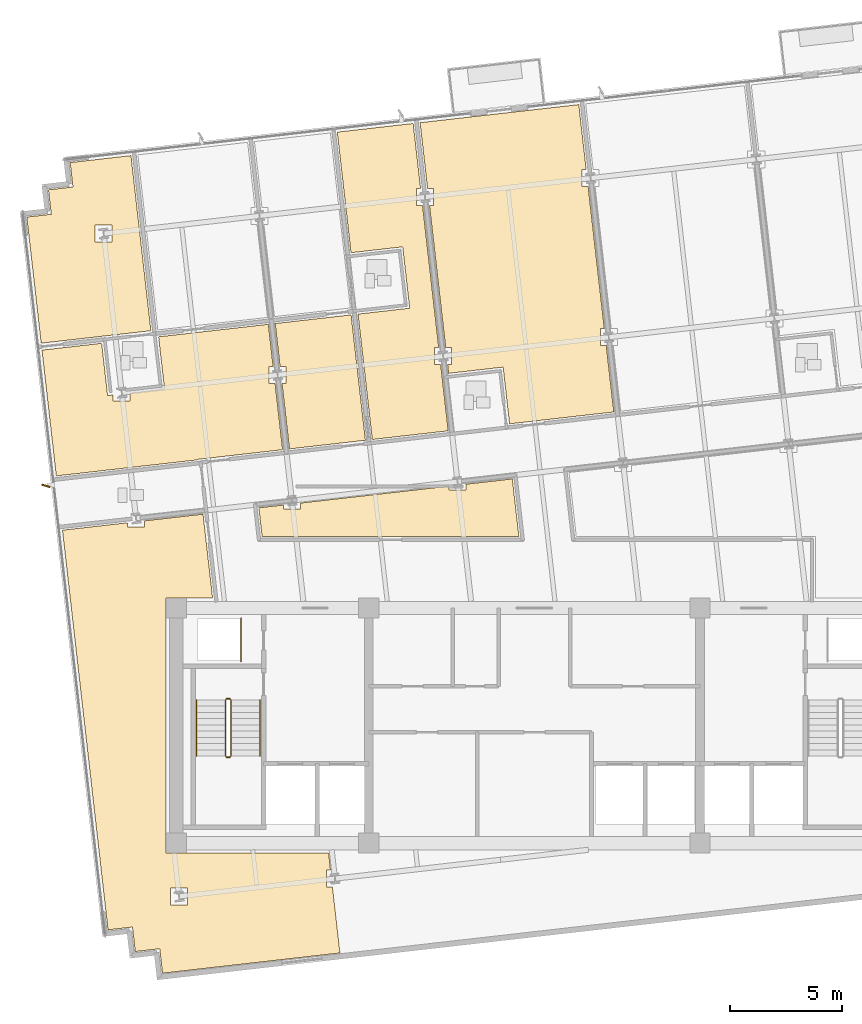
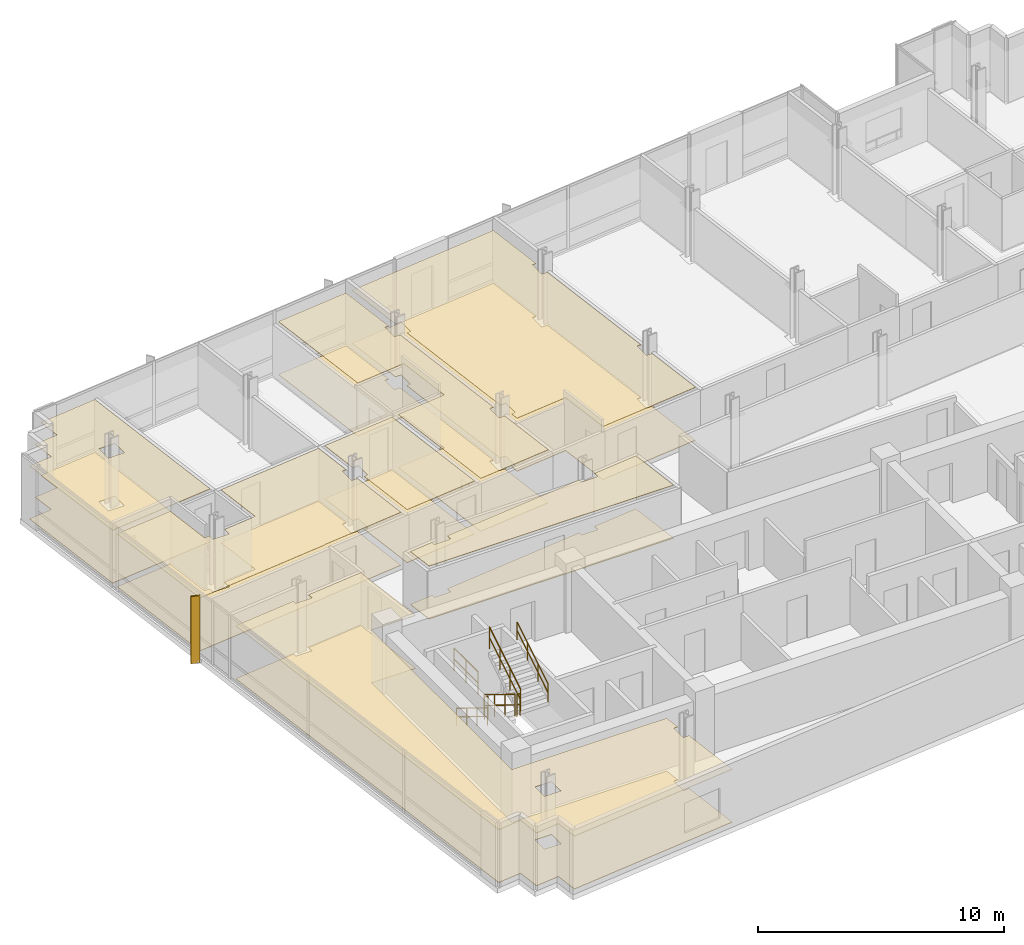
# One storey, part 13 of 16: 14 coverings, 7 railings, 1 shading device.
"""IFC4 building model written with IfcOpenShell, lengths in metres."""

from ifc_helpers import new_model, si_unit, direction, frame, origin, origin_2d, place, context, subcontext, project, spatial, polyline, rectangle, circle, outline, extrude, material, layer, layer_set, type_object, element, save


model = new_model("IFC4")

# Units and contexts
model_context = context("Model", 3, precision=1e-05, world=origin(), true_north=direction((0.0, 1.0)))
body_context = subcontext(model_context, "Body", "Model", "MODEL_VIEW")
ifc_project = project(units=[si_unit("LENGTHUNIT", "METRE"), si_unit("AREAUNIT", "SQUARE_METRE"), si_unit("VOLUMEUNIT", "CUBIC_METRE"), si_unit("PLANEANGLEUNIT", "RADIAN"), si_unit("MASSUNIT", "GRAM", prefix="KILO")], contexts=[model_context])

# Site, building, storey
site_placement = place(None, origin())
site = spatial("IfcSite", under=ifc_project, at=site_placement, CompositionType="ELEMENT")
building_placement = place(site_placement, origin())
building = spatial("IfcBuilding", under=site, at=building_placement, Name="Solmavex Isthmus Hotel", CompositionType="ELEMENT")
storey_placement = place(building_placement, frame((0.0, 0.0, 222.75)))
storey = spatial("IfcBuildingStorey", under=building, at=storey_placement, Name="L60", CompositionType="ELEMENT", Elevation=222.75)

# Coverings
ifc_material_1 = material(Name="Gypsum plasterboard lining", Category="gypsum")
ifc_layer_1 = layer(ifc_material_1, 0.030029296875)
ifc_layer_set_1 = layer_set([ifc_layer_1], Name="Gypsum plasterboard lining")
covering_type_1 = type_object("IfcCoveringType", Name="COV-CEIL-GYP", PredefinedType="CEILING", material=ifc_layer_set_1)
covering_1_placement = place(storey_placement, frame((0.0, 0.0, 2.6201171875)))
element("IfcCovering", 1, at=covering_1_placement, inside=storey, type_object=covering_type_1, Name="Suspended Acoustic Ceiling L60-ST01-FY", PredefinedType="CEILING", context=body_context, shape_type="SweptSolid", body=[
    extrude(outline(polyline([(-18.056396484375, 7.10693359375), (-18.056396484375, 6.739013671875), (-18.81640625, 6.739013671875), (-18.81640625, 7.0205078125), (-19.06689453125, 6.991943359375), (-19.3330078125, 9.32666015625), (-21.999755859375, 9.02294921875), (-21.359130859375, 3.4013671875), (-15.079833984375, 4.11669921875), (-15.08203125, 4.136474609375), (-11.2490234375, 4.5732421875), (-11.586181640625, 7.532470703125), (-11.853271484375, 7.532470703125), (-11.853271484375, 8.29248046875), (-11.672607421875, 8.29248046875), (-11.88720703125, 10.175048828125), (-16.78955078125, 9.616455078125), (-16.5234375, 7.28173828125), (-18.056396484375, 7.10693359375)])), origin(), (0.0, 0.0, 1.0), 0.02978515625),
])
covering_2_placement = place(storey_placement, frame((0.0, 0.0, 2.6201171875)))
element("IfcCovering", 2, at=covering_2_placement, inside=storey, type_object=covering_type_1, Name="Suspended Acoustic Ceiling L60-TB01", PredefinedType="CEILING", context=body_context, shape_type="SweptSolid", body=[
    extrude(outline(polyline([(-22.677001953125, 14.966552734375), (-22.58349609375, 14.146728515625), (-22.034912109375, 9.330810546875), (-17.132568359375, 9.889404296875), (-18.023681640625, 17.7109375), (-19.92041015625, 17.49462890625), (-20.740234375, 17.4013671875), (-20.615478515625, 16.308349609375), (-21.70849609375, 16.183837890625), (-21.583984375, 15.091064453125), (-22.677001953125, 14.966552734375)]), holes=[polyline([(-19.6259765625, 13.844970703125), (-19.6259765625, 14.60498046875), (-18.865966796875, 14.60498046875), (-18.865966796875, 13.844970703125), (-19.6259765625, 13.844970703125)])]), origin(), (0.0, 0.0, 1.0), 0.02978515625),
])
covering_3_placement = place(storey_placement, frame((0.0, 0.0, 2.6201171875)))
element("IfcCovering", 3, at=covering_3_placement, inside=storey, type_object=covering_type_1, Name="Suspended Acoustic Ceiling L60-SL02-FY", PredefinedType="CEILING", context=body_context, shape_type="SweptSolid", body=[
    extrude(outline(polyline([(-11.360595703125, 8.29248046875), (-11.09326171875, 8.29248046875), (-11.09326171875, 7.532470703125), (-11.274169921875, 7.532470703125), (-10.94091796875, 4.6083984375), (-7.5498046875, 4.994873046875), (-8.18798828125, 10.596435546875), (-11.5791015625, 10.210205078125), (-11.525634765625, 9.740234375), (-11.360595703125, 8.29248046875)])), origin(), (0.0, 0.0, 1.0), 0.02978515625),
])
covering_4_placement = place(storey_placement, frame((0.0, 0.0, 2.6201171875)))
element("IfcCovering", 4, at=covering_4_placement, inside=storey, type_object=covering_type_1, Name="Suspended Acoustic Ceiling L60-SV02", PredefinedType="CEILING", context=body_context, shape_type="SweptSolid", body=[
    extrude(outline(polyline([(-4.99755859375, 15.481201171875), (-5.264892578125, 15.481201171875), (-5.264892578125, 16.2412109375), (-5.084228515625, 16.2412109375), (-5.415283203125, 19.1474609375), (-8.806396484375, 18.760986328125), (-8.192626953125, 13.373779296875), (-5.884521484375, 13.636962890625), (-5.572021484375, 10.89453125), (-7.880126953125, 10.631591796875), (-7.241943359375, 5.02978515625), (-3.850830078125, 5.416259765625), (-4.18798828125, 8.375244140625), (-4.455322265625, 8.375244140625), (-4.455322265625, 9.13525390625), (-4.2744140625, 9.13525390625), (-4.99755859375, 15.481201171875)])), origin(), (0.0, 0.0, 1.0), 0.02978515625),
])
covering_5_placement = place(storey_placement, frame((0.0, 0.0, 2.6201171875)))
element("IfcCovering", 5, at=covering_5_placement, inside=storey, type_object=covering_type_1, Name="Suspended Acoustic Ceiling L60-RM03", PredefinedType="CEILING", context=body_context, shape_type="SweptSolid", body=[
    extrude(outline(polyline([(-3.962646484375, 9.13525390625), (-3.6953125, 9.13525390625), (-3.6953125, 8.375244140625), (-3.8759765625, 8.375244140625), (-3.83154296875, 7.98486328125), (-1.397216796875, 8.26220703125), (-1.108642578125, 5.728759765625), (3.54736328125, 6.259033203125), (3.210205078125, 9.21826171875), (2.94287109375, 9.21826171875), (2.94287109375, 9.978271484375), (3.12353515625, 9.978271484375), (2.400634765625, 16.32421875), (2.13330078125, 16.32421875), (2.13330078125, 17.084228515625), (2.31396484375, 17.084228515625), (1.98291015625, 19.990234375), (-5.107177734375, 19.182373046875), (-4.772216796875, 16.2412109375), (-4.5048828125, 16.2412109375), (-4.5048828125, 15.481201171875), (-4.685546875, 15.481201171875), (-3.962646484375, 9.13525390625)])), origin(), (0.0, 0.0, 1.0), 0.02978515625),
])
covering_6_placement = place(storey_placement, frame((0.0, 0.0, 2.6201171875)))
element("IfcCovering", 6, at=covering_6_placement, inside=storey, type_object=covering_type_1, Name="Suspended Acoustic Ceiling L60-FL09", PredefinedType="CEILING", context=body_context, shape_type="SweptSolid", body=[
    extrude(outline(polyline([(-10.4541015625, 2.18798828125), (-10.4541015625, 1.920654296875), (-11.214111328125, 1.920654296875), (-11.214111328125, 2.101318359375), (-12.309814453125, 1.9765625), (-12.1650390625, 0.705078125), (-0.694091796875, 0.705078125), (-0.986083984375, 3.2666015625), (-3.055908203125, 3.03076171875), (-3.055908203125, 2.763671875), (-3.81591796875, 2.763671875), (-3.81591796875, 2.9443359375), (-10.4541015625, 2.18798828125)])), origin(), (0.0, 0.0, 1.0), 0.02978515625),
])
covering_7_placement = place(storey_placement, frame((0.0, 0.0, 2.6201171875)))
element("IfcCovering", 7, at=covering_7_placement, inside=storey, type_object=covering_type_1, Name="Suspended Acoustic Ceiling L60-FL10", PredefinedType="CEILING", context=body_context, shape_type="SweptSolid", body=[
    extrude(outline(polyline([(-17.4169921875, 1.39453125), (-17.4169921875, 1.12744140625), (-18.177001953125, 1.12744140625), (-18.177001953125, 1.30810546875), (-21.0830078125, 0.97705078125), (-20.166748046875, -7.06591796875), (-19.572265625, -12.2822265625), (-19.14208984375, -16.057861328125), (-19.048828125, -16.87744140625), (-17.955810546875, -16.7529296875), (-17.873779296875, -17.473388671875), (-17.831298828125, -17.845947265625), (-16.73828125, -17.721435546875), (-16.61376953125, -18.814453125), (-15.794189453125, -18.720947265625), (-8.687255859375, -17.9111328125), (-8.85400390625, -16.44580078125), (-9.022216796875, -14.969970703125), (-9.28955078125, -14.969970703125), (-9.28955078125, -14.2099609375), (-9.10888671875, -14.2099609375), (-9.19482421875, -13.455078125), (-16.455078125, -13.455078125), (-16.455078125, -2.044921875), (-14.3779296875, -2.044921875), (-14.8037109375, 1.6923828125), (-17.4169921875, 1.39453125)]), holes=[polyline([(-16.25244140625, -15.763427734375), (-16.25244140625, -15.00341796875), (-15.492431640625, -15.00341796875), (-15.492431640625, -15.763427734375), (-16.25244140625, -15.763427734375)])]), origin(), (0.0, 0.0, 1.0), 0.02978515625),
])
ifc_material_2 = material(Name="Travertine natural stone", Category="masonry")
ifc_layer_2 = layer(ifc_material_2, 0.02490234375)
ifc_layer_set_2 = layer_set([ifc_layer_2], Name="Travertine natural stone")
covering_type_2 = type_object("IfcCoveringType", Name="COV-FLOR-STN", PredefinedType="FLOORING", material=ifc_layer_set_2)
covering_8_placement = place(storey_placement, origin())
element("IfcCovering", 8, at=covering_8_placement, inside=storey, type_object=covering_type_2, Name="Stone and Timber Floor Finish L60-ST01-FY", PredefinedType="FLOORING", context=body_context, shape_type="SweptSolid", body=[
    extrude(outline(polyline([(-18.056396484375, 7.10693359375), (-18.056396484375, 6.739013671875), (-18.81640625, 6.739013671875), (-18.81640625, 7.0205078125), (-19.06689453125, 6.991943359375), (-19.3330078125, 9.32666015625), (-21.999755859375, 9.02294921875), (-21.359130859375, 3.4013671875), (-15.079833984375, 4.11669921875), (-15.08203125, 4.136474609375), (-11.2490234375, 4.5732421875), (-11.586181640625, 7.532470703125), (-11.853271484375, 7.532470703125), (-11.853271484375, 8.29248046875), (-11.672607421875, 8.29248046875), (-11.88720703125, 10.175048828125), (-16.78955078125, 9.616455078125), (-16.5234375, 7.28173828125), (-18.056396484375, 7.10693359375)])), origin(), (0.0, 0.0, 1.0), 0.02490234375),
])
covering_9_placement = place(storey_placement, origin())
element("IfcCovering", 9, at=covering_9_placement, inside=storey, type_object=covering_type_2, Name="Stone and Timber Floor Finish L60-TB01", PredefinedType="FLOORING", context=body_context, shape_type="SweptSolid", body=[
    extrude(outline(polyline([(-22.677001953125, 14.966552734375), (-22.58349609375, 14.146728515625), (-22.034912109375, 9.330810546875), (-17.132568359375, 9.889404296875), (-18.023681640625, 17.7109375), (-19.92041015625, 17.49462890625), (-20.740234375, 17.4013671875), (-20.615478515625, 16.308349609375), (-21.70849609375, 16.183837890625), (-21.583984375, 15.091064453125), (-22.677001953125, 14.966552734375)]), holes=[polyline([(-19.6259765625, 13.844970703125), (-19.6259765625, 14.60498046875), (-18.865966796875, 14.60498046875), (-18.865966796875, 13.844970703125), (-19.6259765625, 13.844970703125)])]), origin(), (0.0, 0.0, 1.0), 0.02490234375),
])
covering_10_placement = place(storey_placement, origin())
element("IfcCovering", 10, at=covering_10_placement, inside=storey, type_object=covering_type_2, Name="Stone and Timber Floor Finish L60-SL02-FY", PredefinedType="FLOORING", context=body_context, shape_type="SweptSolid", body=[
    extrude(outline(polyline([(-11.360595703125, 8.29248046875), (-11.09326171875, 8.29248046875), (-11.09326171875, 7.532470703125), (-11.274169921875, 7.532470703125), (-10.94091796875, 4.6083984375), (-7.5498046875, 4.994873046875), (-8.18798828125, 10.596435546875), (-11.5791015625, 10.210205078125), (-11.525634765625, 9.740234375), (-11.360595703125, 8.29248046875)])), origin(), (0.0, 0.0, 1.0), 0.02490234375),
])
covering_11_placement = place(storey_placement, origin())
element("IfcCovering", 11, at=covering_11_placement, inside=storey, type_object=covering_type_2, Name="Stone and Timber Floor Finish L60-SV02", PredefinedType="FLOORING", context=body_context, shape_type="SweptSolid", body=[
    extrude(outline(polyline([(-4.99755859375, 15.481201171875), (-5.264892578125, 15.481201171875), (-5.264892578125, 16.2412109375), (-5.084228515625, 16.2412109375), (-5.415283203125, 19.1474609375), (-8.806396484375, 18.760986328125), (-8.192626953125, 13.373779296875), (-5.884521484375, 13.636962890625), (-5.572021484375, 10.89453125), (-7.880126953125, 10.631591796875), (-7.241943359375, 5.02978515625), (-3.850830078125, 5.416259765625), (-4.18798828125, 8.375244140625), (-4.455322265625, 8.375244140625), (-4.455322265625, 9.13525390625), (-4.2744140625, 9.13525390625), (-4.99755859375, 15.481201171875)])), origin(), (0.0, 0.0, 1.0), 0.02490234375),
])
covering_12_placement = place(storey_placement, origin())
element("IfcCovering", 12, at=covering_12_placement, inside=storey, type_object=covering_type_2, Name="Stone and Timber Floor Finish L60-RM03", PredefinedType="FLOORING", context=body_context, shape_type="SweptSolid", body=[
    extrude(outline(polyline([(-3.962646484375, 9.13525390625), (-3.6953125, 9.13525390625), (-3.6953125, 8.375244140625), (-3.8759765625, 8.375244140625), (-3.83154296875, 7.98486328125), (-1.397216796875, 8.26220703125), (-1.108642578125, 5.728759765625), (3.54736328125, 6.259033203125), (3.210205078125, 9.21826171875), (2.94287109375, 9.21826171875), (2.94287109375, 9.978271484375), (3.12353515625, 9.978271484375), (2.400634765625, 16.32421875), (2.13330078125, 16.32421875), (2.13330078125, 17.084228515625), (2.31396484375, 17.084228515625), (1.98291015625, 19.990234375), (-5.107177734375, 19.182373046875), (-4.772216796875, 16.2412109375), (-4.5048828125, 16.2412109375), (-4.5048828125, 15.481201171875), (-4.685546875, 15.481201171875), (-3.962646484375, 9.13525390625)])), origin(), (0.0, 0.0, 1.0), 0.02490234375),
])
covering_13_placement = place(storey_placement, origin())
element("IfcCovering", 13, at=covering_13_placement, inside=storey, type_object=covering_type_2, Name="Stone and Timber Floor Finish L60-FL09", PredefinedType="FLOORING", context=body_context, shape_type="SweptSolid", body=[
    extrude(outline(polyline([(-10.4541015625, 2.18798828125), (-10.4541015625, 1.920654296875), (-11.214111328125, 1.920654296875), (-11.214111328125, 2.101318359375), (-12.309814453125, 1.9765625), (-12.1650390625, 0.705078125), (-0.694091796875, 0.705078125), (-0.986083984375, 3.2666015625), (-3.055908203125, 3.03076171875), (-3.055908203125, 2.763671875), (-3.81591796875, 2.763671875), (-3.81591796875, 2.9443359375), (-10.4541015625, 2.18798828125)])), origin(), (0.0, 0.0, 1.0), 0.02490234375),
])
covering_14_placement = place(storey_placement, origin())
element("IfcCovering", 14, at=covering_14_placement, inside=storey, type_object=covering_type_2, Name="Stone and Timber Floor Finish L60-FL10", PredefinedType="FLOORING", context=body_context, shape_type="SweptSolid", body=[
    extrude(outline(polyline([(-17.4169921875, 1.39453125), (-17.4169921875, 1.12744140625), (-18.177001953125, 1.12744140625), (-18.177001953125, 1.30810546875), (-21.0830078125, 0.97705078125), (-20.166748046875, -7.06591796875), (-19.572265625, -12.2822265625), (-19.14208984375, -16.057861328125), (-19.048828125, -16.87744140625), (-17.955810546875, -16.7529296875), (-17.873779296875, -17.473388671875), (-17.831298828125, -17.845947265625), (-16.73828125, -17.721435546875), (-16.61376953125, -18.814453125), (-15.794189453125, -18.720947265625), (-8.687255859375, -17.9111328125), (-8.85400390625, -16.44580078125), (-9.022216796875, -14.969970703125), (-9.28955078125, -14.969970703125), (-9.28955078125, -14.2099609375), (-9.10888671875, -14.2099609375), (-9.19482421875, -13.455078125), (-16.455078125, -13.455078125), (-16.455078125, -2.044921875), (-14.3779296875, -2.044921875), (-14.8037109375, 1.6923828125), (-17.4169921875, 1.39453125)]), holes=[polyline([(-16.25244140625, -15.763427734375), (-16.25244140625, -15.00341796875), (-15.492431640625, -15.00341796875), (-15.492431640625, -15.763427734375), (-16.25244140625, -15.763427734375)])]), origin(), (0.0, 0.0, 1.0), 0.02490234375),
])

# Railings
ifc_material_3 = material(Name="Clear low-E laminated glass", Category="glass")
ifc_layer_3 = layer(ifc_material_3, 0.080078125)
ifc_layer_set_3 = layer_set([ifc_layer_3], Name="Clear low-E laminated glass")
railing_type_1 = type_object("IfcRailingType", Name="RAIL-ATRIUM-1120", PredefinedType="BALUSTRADE", material=ifc_layer_set_3)
railing_1_placement = place(storey_placement, frame((-13.10009765625, -4.89990234375, 0.0)))
element("IfcRailing", 15, at=railing_1_placement, inside=storey, type_object=railing_type_1, Name="Guardrail Balustrade L60-RSW-01", PredefinedType="BALUSTRADE", context=body_context, shape_type="SweptSolid", body=[
    extrude(circle(Radius=0.02392578125, at=origin_2d()), frame((0.0, 0.0, 1.1259765625), z_axis=(0.0, 1.0, 0.0), x_axis=(-1.0, 0.0, 0.0)), (0.0, 0.0, 1.0), 1.949951171875),
    extrude(circle(Radius=0.02392578125, at=origin_2d()), frame((0.0, 0.0, 0.574951171875), z_axis=(0.0, 1.0, 0.0), x_axis=(-1.0, 0.0, 0.0)), (0.0, 0.0, 1.0), 1.949951171875),
    extrude(circle(Radius=0.02099609375, at=origin_2d()), origin(), (0.0, 0.0, 1.0), 1.101806640625),
    extrude(circle(Radius=0.02099609375, at=origin_2d()), frame((0.0, 0.97509765625, 0.0)), (0.0, 0.0, 1.0), 1.101806640625),
    extrude(circle(Radius=0.02099609375, at=origin_2d()), frame((0.0, 1.949951171875, 0.0)), (0.0, 0.0, 1.0), 1.101806640625),
])
ifc_material_4 = material(Name="Stainless steel 316", Category="steel")
ifc_layer_4 = layer(ifc_material_4, 0.06005859375)
ifc_layer_set_4 = layer_set([ifc_layer_4], Name="Stainless steel 316")
railing_type_2 = type_object("IfcRailingType", Name="RAIL-STAIR-GD", PredefinedType="GUARDRAIL", material=ifc_layer_set_4)
railing_2_placement = place(storey_placement, frame((-13.800048828125, -6.60009765625, 0.172607421875)))
element("IfcRailing", 16, at=railing_2_placement, inside=storey, type_object=railing_type_2, Name="L60 ST-1 stair guard 1", PredefinedType="GUARDRAIL", context=body_context, shape_type="SweptSolid", body=[
    extrude(circle(Radius=0.02392578125, at=origin_2d()), frame((0.0, 0.0, 1.09619140625), z_axis=(0.0, -0.851400495292, 0.524516154772), x_axis=(1.0, 0.0, 0.0)), (0.0, 0.0, 1.0), 2.9599609375),
    extrude(circle(Radius=0.02392578125, at=origin_2d()), frame((0.0, 0.0, 0.56005859375), z_axis=(0.0, -0.851400495292, 0.524516154772), x_axis=(1.0, 0.0, 0.0)), (0.0, 0.0, 1.0), 2.9599609375),
    extrude(circle(Radius=0.02099609375, at=origin_2d()), origin(), (0.0, 0.0, 1.0), 1.072021484375),
    extrude(circle(Radius=0.02099609375, at=origin_2d()), frame((0.0, -0.840087890625, 0.517578125)), (0.0, 0.0, 1.0), 1.072021484375),
    extrude(circle(Radius=0.02099609375, at=origin_2d()), frame((0.0, -1.679931640625, 1.034912109375)), (0.0, 0.0, 1.0), 1.072021484375),
    extrude(circle(Radius=0.02099609375, at=origin_2d()), frame((0.0, -2.52001953125, 1.552490234375)), (0.0, 0.0, 1.0), 1.072021484375),
])
railing_3_placement = place(storey_placement, frame((-13.75, -9.169921875, 1.72509765625)))
element("IfcRailing", 17, at=railing_3_placement, inside=storey, type_object=railing_type_2, Name="L60 ST-1 stair guard 2", PredefinedType="GUARDRAIL", context=body_context, shape_type="SweptSolid", body=[
    extrude(circle(Radius=0.02392578125, at=origin_2d()), frame((0.0, 0.0, 1.09619140625), z_axis=(1.0, 0.0, 0.0), x_axis=(0.0, 1.0, 0.0)), (0.0, 0.0, 1.0), 0.14990234375),
    extrude(circle(Radius=0.02392578125, at=origin_2d()), frame((0.0, 0.0, 0.56005859375), z_axis=(1.0, 0.0, 0.0), x_axis=(0.0, 1.0, 0.0)), (0.0, 0.0, 1.0), 0.14990234375),
    extrude(circle(Radius=0.02099609375, at=origin_2d()), origin(), (0.0, 0.0, 1.0), 1.072021484375),
    extrude(circle(Radius=0.02099609375, at=origin_2d()), frame((0.14990234375, 0.0, 0.0)), (0.0, 0.0, 1.0), 1.072021484375),
])
railing_4_placement = place(storey_placement, frame((-13.550048828125, -9.1201171875, 1.8974609375)))
element("IfcRailing", 18, at=railing_4_placement, inside=storey, type_object=railing_type_2, Name="L60 ST-1 stair guard 3", PredefinedType="GUARDRAIL", context=body_context, shape_type="SweptSolid", body=[
    extrude(circle(Radius=0.02392578125, at=origin_2d()), frame((0.0, 0.0, 1.09619140625), z_axis=(0.0, 0.851400495292, 0.524516154772), x_axis=(-1.0, 0.0, 0.0)), (0.0, 0.0, 1.0), 2.9599609375),
    extrude(circle(Radius=0.02392578125, at=origin_2d()), frame((0.0, 0.0, 0.56005859375), z_axis=(0.0, 0.851400495292, 0.524516154772), x_axis=(-1.0, 0.0, 0.0)), (0.0, 0.0, 1.0), 2.9599609375),
    extrude(circle(Radius=0.02099609375, at=origin_2d()), origin(), (0.0, 0.0, 1.0), 1.072021484375),
    extrude(circle(Radius=0.02099609375, at=origin_2d()), frame((0.0, 0.840087890625, 0.517578125)), (0.0, 0.0, 1.0), 1.072021484375),
    extrude(circle(Radius=0.02099609375, at=origin_2d()), frame((0.0, 1.679931640625, 1.034912109375)), (0.0, 0.0, 1.0), 1.072021484375),
    extrude(circle(Radius=0.02099609375, at=origin_2d()), frame((0.0, 2.52001953125, 1.552490234375)), (0.0, 0.0, 1.0), 1.072021484375),
])
railing_5_placement = place(storey_placement, frame((-13.75, -6.550048828125, 0.0)))
element("IfcRailing", 19, at=railing_5_placement, inside=storey, type_object=railing_type_2, Name="L60 ST-1 stair guard 4", PredefinedType="GUARDRAIL", context=body_context, shape_type="SweptSolid", body=[
    extrude(circle(Radius=0.02392578125, at=origin_2d()), frame((0.0, 0.0, 1.09619140625), z_axis=(1.0, 0.0, 0.0), x_axis=(0.0, 1.0, 0.0)), (0.0, 0.0, 1.0), 0.14990234375),
    extrude(circle(Radius=0.02392578125, at=origin_2d()), frame((0.0, 0.0, 0.56005859375), z_axis=(1.0, 0.0, 0.0), x_axis=(0.0, 1.0, 0.0)), (0.0, 0.0, 1.0), 0.14990234375),
    extrude(circle(Radius=0.02099609375, at=origin_2d()), origin(), (0.0, 0.0, 1.0), 1.072021484375),
    extrude(circle(Radius=0.02099609375, at=origin_2d()), frame((0.14990234375, 0.0, 0.0)), (0.0, 0.0, 1.0), 1.072021484375),
])
ifc_layer_5 = layer(ifc_material_4, 0.050048828125)
ifc_layer_set_5 = layer_set([ifc_layer_5], Name="Stainless steel 316")
railing_type_3 = type_object("IfcRailingType", Name="RAIL-STAIR-HR", PredefinedType="HANDRAIL", material=ifc_layer_set_5)
railing_6_placement = place(storey_placement, frame((-15.10009765625, -6.60009765625, 0.172607421875)))
element("IfcRailing", 20, at=railing_6_placement, inside=storey, type_object=railing_type_3, Name="L60 ST-1 stair handrail 1", PredefinedType="HANDRAIL", context=body_context, shape_type="SweptSolid", body=[
    extrude(circle(Radius=0.02392578125, at=origin_2d()), frame((0.0, 0.0, 0.8759765625), z_axis=(0.0, -0.851400495292, 0.524516154772), x_axis=(1.0, 0.0, 0.0)), (0.0, 0.0, 1.0), 2.9599609375),
    extrude(circle(Radius=0.02392578125, at=origin_2d()), frame((0.0, 0.0, 0.449951171875), z_axis=(0.0, -0.851400495292, 0.524516154772), x_axis=(1.0, 0.0, 0.0)), (0.0, 0.0, 1.0), 2.9599609375),
    extrude(circle(Radius=0.02099609375, at=origin_2d()), origin(), (0.0, 0.0, 1.0), 0.851806640625),
    extrude(circle(Radius=0.02099609375, at=origin_2d()), frame((0.0, -0.840087890625, 0.517578125)), (0.0, 0.0, 1.0), 0.851806640625),
    extrude(circle(Radius=0.02099609375, at=origin_2d()), frame((0.0, -1.679931640625, 1.034912109375)), (0.0, 0.0, 1.0), 0.851806640625),
    extrude(circle(Radius=0.02099609375, at=origin_2d()), frame((0.0, -2.52001953125, 1.552490234375)), (0.0, 0.0, 1.0), 0.851806640625),
])
railing_7_placement = place(storey_placement, frame((-12.25, -9.1201171875, 1.8974609375)))
element("IfcRailing", 21, at=railing_7_placement, inside=storey, type_object=railing_type_3, Name="L60 ST-1 stair handrail 2", PredefinedType="HANDRAIL", context=body_context, shape_type="SweptSolid", body=[
    extrude(circle(Radius=0.02392578125, at=origin_2d()), frame((0.0, 0.0, 0.8759765625), z_axis=(0.0, 0.851400495292, 0.524516154772), x_axis=(-1.0, 0.0, 0.0)), (0.0, 0.0, 1.0), 2.9599609375),
    extrude(circle(Radius=0.02392578125, at=origin_2d()), frame((0.0, 0.0, 0.449951171875), z_axis=(0.0, 0.851400495292, 0.524516154772), x_axis=(-1.0, 0.0, 0.0)), (0.0, 0.0, 1.0), 2.9599609375),
    extrude(circle(Radius=0.02099609375, at=origin_2d()), origin(), (0.0, 0.0, 1.0), 0.851806640625),
    extrude(circle(Radius=0.02099609375, at=origin_2d()), frame((0.0, 0.840087890625, 0.517578125)), (0.0, 0.0, 1.0), 0.851806640625),
    extrude(circle(Radius=0.02099609375, at=origin_2d()), frame((0.0, 1.679931640625, 1.034912109375)), (0.0, 0.0, 1.0), 0.851806640625),
    extrude(circle(Radius=0.02099609375, at=origin_2d()), frame((0.0, 2.52001953125, 1.552490234375)), (0.0, 0.0, 1.0), 0.851806640625),
])

# Shading device
ifc_material_5 = material(Name="Aluminium alloy 6063-T6", Category="aluminium")
shading_device_type = type_object("IfcShadingDeviceType", Name="SHD-FIN-CHAMP", PredefinedType="USERDEFINED", material=ifc_material_5)
shading_device_placement = place(storey_placement, frame((-21.827392578125, 2.96044921875, -0.14013671875), z_axis=(0.0, 0.0, 1.0), x_axis=(-0.953716950748, 0.300705799504, 0.0)))
element("IfcShadingDevice", 22, at=shading_device_placement, inside=storey, type_object=shading_device_type, Name="Anodised Aluminium Solar Fin L60-W1", ObjectType="SOLAR_FIN", PredefinedType="USERDEFINED", context=body_context, shape_type="SweptSolid", body=[
    extrude(rectangle(XDim=0.3798828125, YDim=0.070068359375, at=origin_2d()), origin(), (0.0, 0.0, 1.0), 3.330078125),
])

save(model, "model.ifc")
